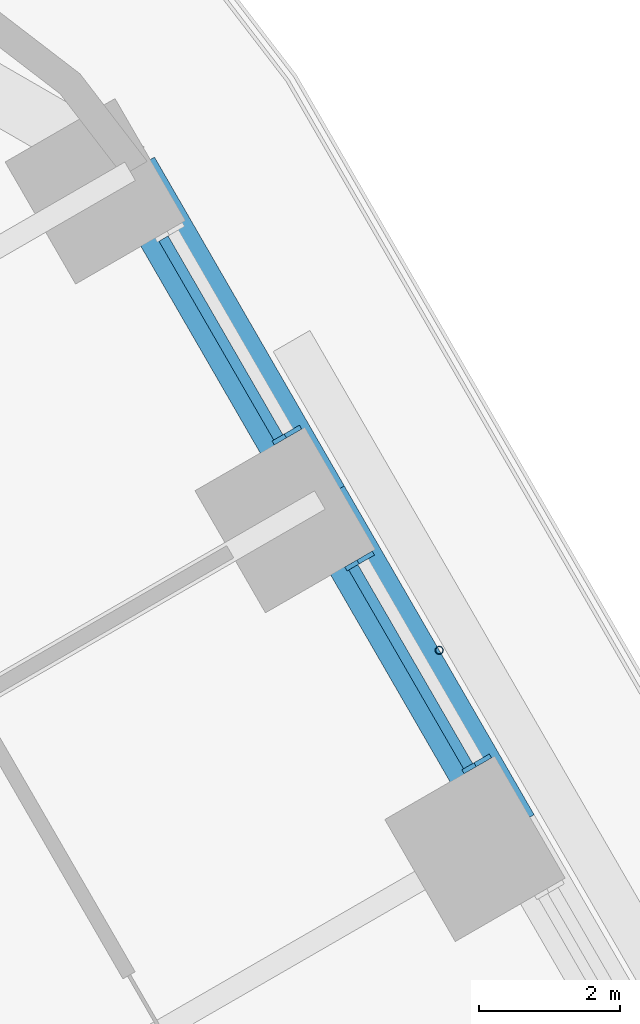
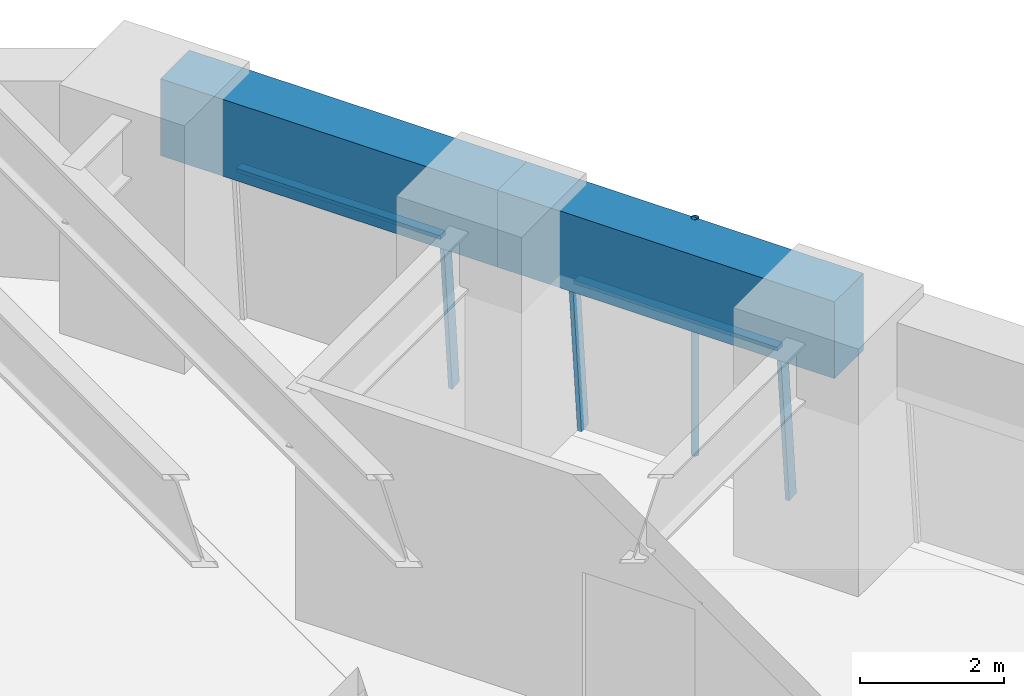
# One storey, part 11 of 23: 6 members, 2 beams, 2 elements without a shape of their own.
"""IFC4 building model written with IfcOpenShell, lengths in metres."""

from ifc_helpers import new_model, si_unit, direction, frame, origin, origin_2d, place, context, subcontext, project, spatial, rectangle, hollow_circle, extrude, material, material_profile, profile_set, type_object, element, aggregate, save


model = new_model("IFC4")

# Units and contexts
model_context = context("Model", 3, precision=1e-05, world=origin(), true_north=direction((0.0, 1.0)))
body_context = subcontext(model_context, "Body", "Model", "MODEL_VIEW")
ifc_project = project(units=[si_unit("LENGTHUNIT", "METRE"), si_unit("AREAUNIT", "SQUARE_METRE"), si_unit("VOLUMEUNIT", "CUBIC_METRE"), si_unit("PLANEANGLEUNIT", "RADIAN"), si_unit("MASSUNIT", "GRAM", prefix="KILO")], contexts=[model_context])

# Site, building, storey
site_placement = place(None, origin())
site = spatial("IfcSite", under=ifc_project, at=site_placement, CompositionType="ELEMENT")
building_placement = place(site_placement, origin())
building = spatial("IfcBuilding", under=site, at=building_placement, Name="Tarfa Lantern Tower", CompositionType="ELEMENT")
storey_placement = place(building_placement, frame((0.0, 0.0, 57.10009765625)))
storey = spatial("IfcBuildingStorey", under=building, at=storey_placement, Name="L12", CompositionType="ELEMENT", Elevation=57.10009765625)

# Curtain wall, members
ifc_material_1 = material(Name="Aluminium framed curtain wall", Category="aluminium")
curtain_wall_type = type_object("IfcCurtainWallType", Name="CW1 CANTED GLAZING LOW ZONE 2700", PredefinedType="USERDEFINED", material=ifc_material_1)
curtain_wall_1_placement = place(storey_placement, origin())
curtain_wall_1 = element("IfcCurtainWall", 1, at=curtain_wall_1_placement, inside=storey, type_object=curtain_wall_type, Name="CW1 NE L12", ObjectType="CURTAIN WALL", PredefinedType="USERDEFINED")
ifc_material_2 = material(Name="Aluminium mullion", Category="aluminium")
ifc_material_profile_1 = material_profile(ifc_material_2, rectangle(XDim=0.06494140625, YDim=0.199951171875, at=origin_2d()), Name="AL MULLION 65x200")
ifc_profile_set_1 = profile_set([ifc_material_profile_1], Name="Aluminium mullion")
member_type_1 = type_object("IfcMemberType", Name="CWM1 MULLION 65x200", PredefinedType="MULLION", material=ifc_profile_set_1)
member_1_placement = place(storey_placement, frame((26.147705078125, 22.5107421875, 0.0), z_axis=(-0.07986442134, -0.046099868913, 0.99573916077), x_axis=(0.499919672301, -0.866071776036, 0.0)))
member_1 = element("IfcMember", 2, at=member_1_placement, type_object=member_type_1, Name="CW1 mullion 1", PredefinedType="MULLION", context=body_context, shape_type="SweptSolid", body=[
    extrude(rectangle(XDim=0.06494140625, YDim=0.199951171875, at=origin_2d()), origin(), (0.0, 0.0, 1.0), 2.71142578125),
])
member_2_placement = place(storey_placement, frame((24.48583984375, 25.38916015625, 0.0), z_axis=(-0.07986442134, -0.046099868913, 0.99573916077), x_axis=(0.499919672301, -0.866071776036, 0.0)))
member_2 = element("IfcMember", 3, at=member_2_placement, type_object=member_type_1, Name="CW1 mullion 2", PredefinedType="MULLION", context=body_context, shape_type="SweptSolid", body=[
    extrude(rectangle(XDim=0.06494140625, YDim=0.199951171875, at=origin_2d()), origin(), (0.0, 0.0, 1.0), 2.71142578125),
])

# Curtain wall, member
curtain_wall_2_placement = place(storey_placement, origin())
curtain_wall_2 = element("IfcCurtainWall", 4, at=curtain_wall_2_placement, inside=storey, type_object=curtain_wall_type, Name="CW1 NE L12", ObjectType="CURTAIN WALL", PredefinedType="USERDEFINED")
member_3_placement = place(storey_placement, frame((23.453369140625, 27.177490234375, 0.0), z_axis=(-0.07986442134, -0.046099868913, 0.99573916077), x_axis=(0.499919672301, -0.866071776036, 0.0)))
member_3 = element("IfcMember", 5, at=member_3_placement, type_object=member_type_1, Name="CW1 mullion 1", PredefinedType="MULLION", context=body_context, shape_type="SweptSolid", body=[
    extrude(rectangle(XDim=0.06494140625, YDim=0.199951171875, at=origin_2d()), origin(), (0.0, 0.0, 1.0), 2.71142578125),
])

# Member
ifc_material_3 = material(Name="Aluminium transom", Category="aluminium")
ifc_material_profile_2 = material_profile(ifc_material_3, rectangle(XDim=0.14990234375, YDim=0.06494140625, at=origin_2d()), Name="AL TRANSOM 150x65")
ifc_profile_set_2 = profile_set([ifc_material_profile_2], Name="Aluminium transom")
member_type_2 = type_object("IfcMemberType", Name="CWT1 TRANSOM 150x65", PredefinedType="USERDEFINED", material=ifc_profile_set_2)
member_4_placement = place(storey_placement, frame((25.91748046875, 22.41552734375, 2.66748046875), z_axis=(-0.499966746847, 0.86604460165, 0.0), x_axis=(-0.86604460165, -0.499966746847, 0.0)))
member_4 = element("IfcMember", 6, at=member_4_placement, type_object=member_type_2, Name="CW1 transom 1.2", ObjectType="TRANSOM", PredefinedType="USERDEFINED", context=body_context, shape_type="SweptSolid", body=[
    extrude(rectangle(XDim=0.14990234375, YDim=0.06494140625, at=origin_2d()), origin(), (0.0, 0.0, 1.0), 3.258544921875),
])

aggregate(curtain_wall_1, [member_1, member_2, member_4])

member_5_placement = place(storey_placement, frame((23.22314453125, 27.082275390625, 2.66748046875), z_axis=(-0.499966746847, 0.86604460165, 0.0), x_axis=(-0.86604460165, -0.499966746847, 0.0)))
member_5 = element("IfcMember", 7, at=member_5_placement, type_object=member_type_2, Name="CW1 transom 1.2", ObjectType="TRANSOM", PredefinedType="USERDEFINED", context=body_context, shape_type="SweptSolid", body=[
    extrude(rectangle(XDim=0.14990234375, YDim=0.06494140625, at=origin_2d()), origin(), (0.0, 0.0, 1.0), 3.258544921875),
])

aggregate(curtain_wall_2, [member_3, member_5])

# Beams
ifc_material_4 = material(Name="Concrete C80/95", Category="concrete")
ifc_material_profile_3 = material_profile(ifc_material_4, rectangle(XDim=0.800048828125, YDim=1.300048828125, at=origin_2d()), Name="RC 800x1300")
ifc_profile_set_3 = profile_set([ifc_material_profile_3], Name="Concrete C80/95")
beam_type = type_object("IfcBeamType", Name="EB1 RC 800x1300", PredefinedType="SPANDREL", material=ifc_profile_set_3)
for number, where, z_axis, x_axis, name in (
    (8, (26.508056640625, 21.526611328125, 3.349853515625), (-0.499998287579, 0.866026392449, 0.0), (-0.866026392449, -0.499998287579, 0.0), "Edge beam NE4"),
    (9, (23.813720703125, 26.193359375, 3.349853515625), (-0.499998287579, 0.866026392449, 0.0), (-0.866026392449, -0.499998287579, 0.0), "Edge beam NE5"),
):
    element("IfcBeam", number, at=place(storey_placement, frame(where, z_axis=z_axis, x_axis=x_axis)), inside=storey, type_object=beam_type, Name=name, PredefinedType="SPANDREL", context=body_context, shape_type="SweptSolid", body=[
        extrude(rectangle(XDim=0.800048828125, YDim=1.300048828125, at=origin_2d()), origin(), (0.0, 0.0, 1.0), 5.388671875),
    ])

# Member
ifc_material_5 = material(Name="Steel S355", Category="steel")
ifc_material_profile_4 = material_profile(ifc_material_5, hollow_circle(Radius=0.05712890625, WallThickness=0.00634765625, at=origin_2d()), Name="CHS114.3x6.3")
ifc_profile_set_4 = profile_set([ifc_material_profile_4], Name="Steel S355")
member_type_3 = type_object("IfcMemberType", Name="TR1 GREEN WALL TRELLIS CHS114.3x6.3", PredefinedType="USERDEFINED", material=ifc_profile_set_4)
member_6_placement = place(storey_placement, frame((25.50732421875, 24.06005859375, 0.0), z_axis=(0.0, 0.0, 1.0), x_axis=(1.0, 0.0, 0.0)))
element("IfcMember", 10, at=member_6_placement, inside=storey, type_object=member_type_3, Name="Trellis post NE 2", ObjectType="TRELLIS", PredefinedType="USERDEFINED", context=body_context, shape_type="SweptSolid", body=[
    extrude(hollow_circle(Radius=0.05712890625, WallThickness=0.00634765625, at=origin_2d()), origin(), (0.0, 0.0, 1.0), 4.0),
])

save(model, "model.ifc")
